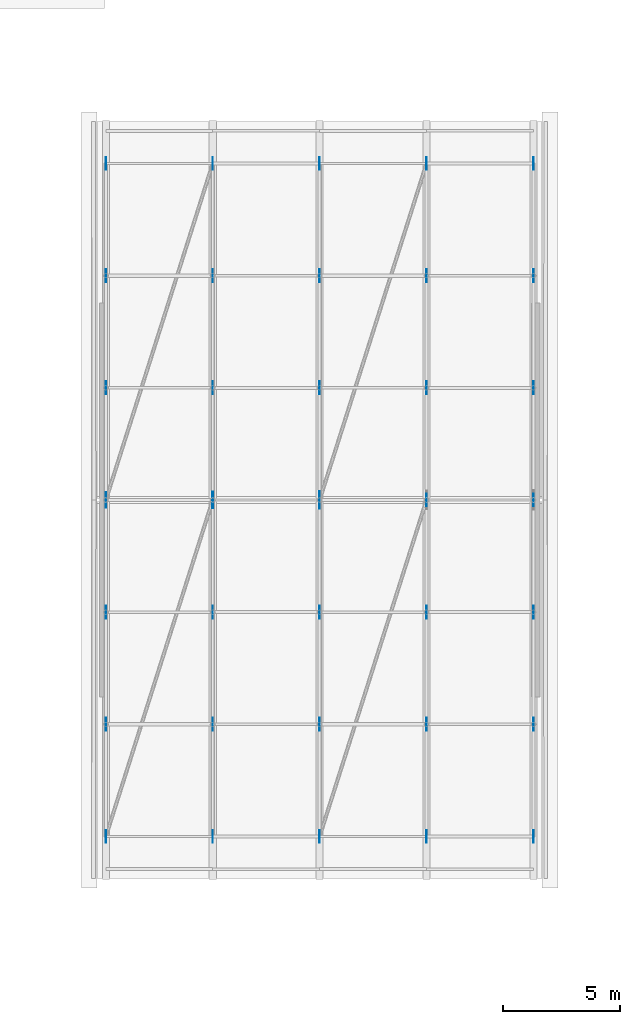
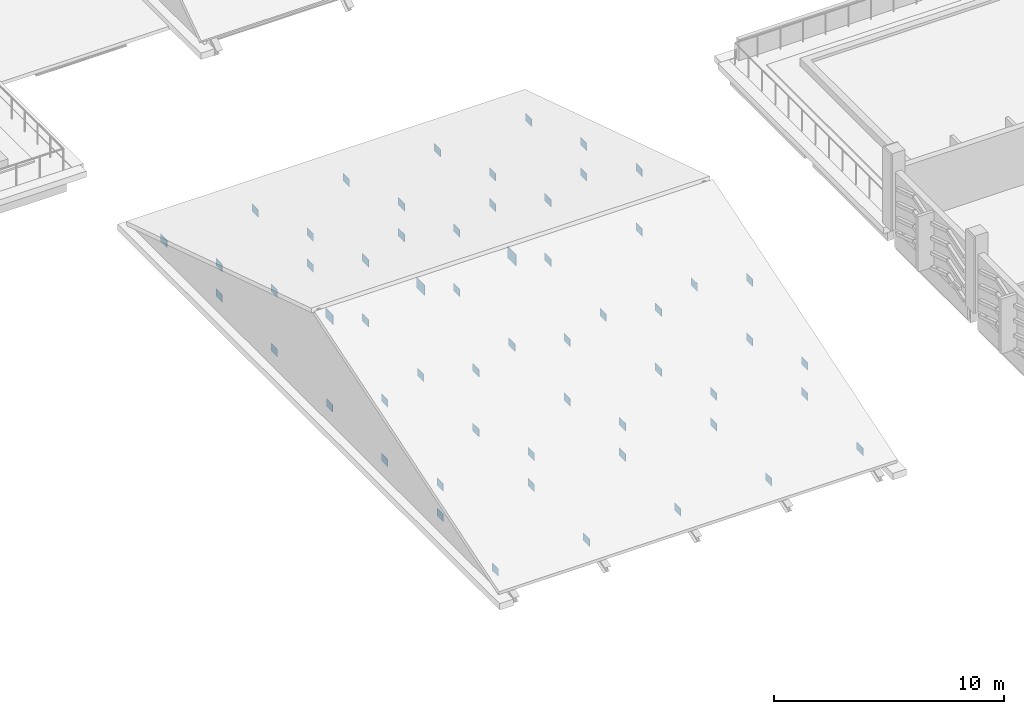
# One storey, part 107 of 134: 58 plates.
"""IFC4 building model written with IfcOpenShell, lengths in metres."""

from ifc_helpers import new_model, si_unit, direction, frame, origin, origin_2d, place, context, subcontext, project, spatial, rectangle, extrude, material, layer, layer_set, type_object, element, save


model = new_model("IFC4")

# Units and contexts
model_context = context("Model", 3, precision=1e-05, world=origin(), true_north=direction((0.0, 1.0)))
body_context = subcontext(model_context, "Body", "Model", "MODEL_VIEW")
ifc_project = project(units=[si_unit("LENGTHUNIT", "METRE"), si_unit("AREAUNIT", "SQUARE_METRE"), si_unit("VOLUMEUNIT", "CUBIC_METRE"), si_unit("PLANEANGLEUNIT", "RADIAN"), si_unit("MASSUNIT", "GRAM", prefix="KILO")], contexts=[model_context])

# Site, building, storey
site_placement = place(None, origin())
site = spatial("IfcSite", under=ifc_project, at=site_placement, CompositionType="ELEMENT")
building_placement = place(site_placement, origin())
building = spatial("IfcBuilding", under=site, at=building_placement, Name="Asteropetra Specialist Clinic", CompositionType="ELEMENT")
storey_placement = place(building_placement, frame((0.0, 0.0, 8.5)))
storey = spatial("IfcBuildingStorey", under=building, at=storey_placement, Name="L02", CompositionType="ELEMENT", Elevation=8.5)

# Plates
ifc_material_1 = material(Name="Steel S355", Category="steel")
ifc_layer_1 = layer(ifc_material_1, 0.02197265625)
ifc_layer_set_1 = layer_set([ifc_layer_1], Name="Steel S355")
plate_type_1 = type_object("IfcPlateType", Name="PLT-GUS-02", PredefinedType="SHEET", material=ifc_layer_set_1)
plate_1_placement = place(storey_placement, frame((77.25, 48.0, 4.81689453125), z_axis=(0.0, 0.0, 1.0), x_axis=(1.0, 0.0, 0.0)))
element("IfcPlate", 1, at=plate_1_placement, inside=storey, type_object=plate_type_1, Name="Truss Ridge Gusset GP-TRV3-01", PredefinedType="SHEET", context=body_context, shape_type="SweptSolid", body=[
    extrude(rectangle(XDim=0.02197265625, YDim=0.64990234375, at=origin_2d()), origin(), (0.0, 0.0, 1.0), 0.5),
])
ifc_material_2 = material(Name="Steel S355", Category="steel")
ifc_layer_2 = layer(ifc_material_2, 0.02392578125)
ifc_layer_set_2 = layer_set([ifc_layer_2], Name="Steel S355")
plate_type_2 = type_object("IfcPlateType", Name="PLT-GUS-03", PredefinedType="SHEET", material=ifc_layer_set_2)
plate_2_placement = place(storey_placement, frame((81.824951171875, 48.0, 4.7919921875), z_axis=(0.0, 0.0, 1.0), x_axis=(1.0, 0.0, 0.0)))
element("IfcPlate", 2, at=plate_2_placement, inside=storey, type_object=plate_type_2, Name="Truss Ridge Gusset GP-TRV3-02", PredefinedType="SHEET", context=body_context, shape_type="SweptSolid", body=[
    extrude(rectangle(XDim=0.02392578125, YDim=0.699951171875, at=origin_2d()), origin(), (0.0, 0.0, 1.0), 0.550048828125),
])
ifc_material_3 = material(Name="Steel S355", Category="steel")
ifc_layer_3 = layer(ifc_material_3, 0.02490234375)
ifc_layer_set_3 = layer_set([ifc_layer_3], Name="Steel S355")
plate_type_3 = type_object("IfcPlateType", Name="PLT-GUS-04", PredefinedType="SHEET", material=ifc_layer_set_3)
plate_3_placement = place(storey_placement, frame((86.39990234375, 48.0, 4.766845703125), z_axis=(0.0, 0.0, 1.0), x_axis=(1.0, 0.0, 0.0)))
element("IfcPlate", 3, at=plate_3_placement, inside=storey, type_object=plate_type_3, Name="Truss Ridge Gusset GP-TRV3-03", PredefinedType="SHEET", context=body_context, shape_type="SweptSolid", body=[
    extrude(rectangle(XDim=0.02490234375, YDim=0.75, at=origin_2d()), origin(), (0.0, 0.0, 1.0), 0.60009765625),
])
ifc_material_4 = material(Name="Steel S355", Category="steel")
ifc_layer_4 = layer(ifc_material_4, 0.01806640625)
ifc_layer_set_4 = layer_set([ifc_layer_4], Name="Steel S355")
plate_type_4 = type_object("IfcPlateType", Name="PLT-GUS-08", PredefinedType="SHEET", material=ifc_layer_set_4)
for number, where, z_axis, x_axis, name in (
    (4, (77.25, 33.60009765625, 0.1650390625), (0.0, 0.0, 1.0), (1.0, 0.0, 0.0), "Truss Bottom Chord Gusset GPB-V301-0"),
    (5, (77.25, 38.39990234375, 0.1650390625), (0.0, 0.0, 1.0), (1.0, 0.0, 0.0), "Truss Bottom Chord Gusset GPB-V301-1"),
    (6, (77.25, 38.39990234375, 1.785400390625), (0.0, 0.0, 1.0), (1.0, 0.0, 0.0), "Truss Top Chord Gusset GPT-V301-1"),
    (7, (77.25, 43.199951171875, 0.1650390625), (0.0, 0.0, 1.0), (1.0, 0.0, 0.0), "Truss Bottom Chord Gusset GPB-V301-2"),
    (8, (77.25, 43.199951171875, 3.326171875), (0.0, 0.0, 1.0), (1.0, 0.0, 0.0), "Truss Top Chord Gusset GPT-V301-2"),
    (9, (77.25, 48.0, 0.1650390625), (0.0, 0.0, 1.0), (1.0, 0.0, 0.0), "Truss Bottom Chord Gusset GPB-V301-3"),
    (10, (77.25, 52.800048828125, 0.1650390625), (0.0, 0.0, 1.0), (1.0, 0.0, 0.0), "Truss Bottom Chord Gusset GPB-V301-4"),
    (11, (77.25, 52.800048828125, 3.326171875), (0.0, 0.0, 1.0), (1.0, 0.0, 0.0), "Truss Top Chord Gusset GPT-V301-4"),
    (12, (77.25, 57.60009765625, 0.1650390625), (0.0, 0.0, 1.0), (1.0, 0.0, 0.0), "Truss Bottom Chord Gusset GPB-V301-5"),
    (13, (77.25, 57.60009765625, 1.785400390625), (0.0, 0.0, 1.0), (1.0, 0.0, 0.0), "Truss Top Chord Gusset GPT-V301-5"),
    (14, (77.25, 62.39990234375, 0.1650390625), (0.0, 0.0, 1.0), (1.0, 0.0, 0.0), "Truss Bottom Chord Gusset GPB-V301-6"),
    (15, (81.824951171875, 33.60009765625, 0.155029296875), (0.0, 0.0, 1.0), (1.0, 0.0, 0.0), "Truss Bottom Chord Gusset GPB-V302-0"),
    (16, (81.824951171875, 38.39990234375, 0.155029296875), (0.0, 0.0, 1.0), (1.0, 0.0, 0.0), "Truss Bottom Chord Gusset GPB-V302-1"),
    (17, (81.824951171875, 38.39990234375, 1.785400390625), (0.0, 0.0, 1.0), (1.0, 0.0, 0.0), "Truss Top Chord Gusset GPT-V302-1"),
    (18, (81.824951171875, 43.199951171875, 0.155029296875), (0.0, 0.0, 1.0), (1.0, 0.0, 0.0), "Truss Bottom Chord Gusset GPB-V302-2"),
    (19, (81.824951171875, 43.199951171875, 3.326171875), (0.0, 0.0, 1.0), (1.0, 0.0, 0.0), "Truss Top Chord Gusset GPT-V302-2"),
    (20, (81.824951171875, 48.0, 0.155029296875), (0.0, 0.0, 1.0), (1.0, 0.0, 0.0), "Truss Bottom Chord Gusset GPB-V302-3"),
    (21, (81.824951171875, 52.800048828125, 0.155029296875), (0.0, 0.0, 1.0), (1.0, 0.0, 0.0), "Truss Bottom Chord Gusset GPB-V302-4"),
    (22, (81.824951171875, 52.800048828125, 3.326171875), (0.0, 0.0, 1.0), (1.0, 0.0, 0.0), "Truss Top Chord Gusset GPT-V302-4"),
    (23, (81.824951171875, 57.60009765625, 0.155029296875), (0.0, 0.0, 1.0), (1.0, 0.0, 0.0), "Truss Bottom Chord Gusset GPB-V302-5"),
    (24, (81.824951171875, 57.60009765625, 1.785400390625), (0.0, 0.0, 1.0), (1.0, 0.0, 0.0), "Truss Top Chord Gusset GPT-V302-5"),
    (25, (81.824951171875, 62.39990234375, 0.155029296875), (0.0, 0.0, 1.0), (1.0, 0.0, 0.0), "Truss Bottom Chord Gusset GPB-V302-6"),
    (26, (86.39990234375, 33.60009765625, 0.1650390625), (0.0, 0.0, 1.0), (1.0, 0.0, 0.0), "Truss Bottom Chord Gusset GPB-V303-0"),
    (27, (86.39990234375, 38.39990234375, 0.1650390625), (0.0, 0.0, 1.0), (1.0, 0.0, 0.0), "Truss Bottom Chord Gusset GPB-V303-1"),
    (28, (86.39990234375, 38.39990234375, 1.785400390625), (0.0, 0.0, 1.0), (1.0, 0.0, 0.0), "Truss Top Chord Gusset GPT-V303-1"),
    (29, (86.39990234375, 43.199951171875, 0.1650390625), (0.0, 0.0, 1.0), (1.0, 0.0, 0.0), "Truss Bottom Chord Gusset GPB-V303-2"),
    (30, (86.39990234375, 43.199951171875, 3.326171875), (0.0, 0.0, 1.0), (1.0, 0.0, 0.0), "Truss Top Chord Gusset GPT-V303-2"),
    (31, (86.39990234375, 48.0, 0.1650390625), (0.0, 0.0, 1.0), (1.0, 0.0, 0.0), "Truss Bottom Chord Gusset GPB-V303-3"),
    (32, (86.39990234375, 52.800048828125, 0.1650390625), (0.0, 0.0, 1.0), (1.0, 0.0, 0.0), "Truss Bottom Chord Gusset GPB-V303-4"),
    (33, (86.39990234375, 52.800048828125, 3.326171875), (0.0, 0.0, 1.0), (1.0, 0.0, 0.0), "Truss Top Chord Gusset GPT-V303-4"),
    (34, (86.39990234375, 57.60009765625, 0.1650390625), (0.0, 0.0, 1.0), (1.0, 0.0, 0.0), "Truss Bottom Chord Gusset GPB-V303-5"),
    (35, (86.39990234375, 57.60009765625, 1.785400390625), (0.0, 0.0, 1.0), (1.0, 0.0, 0.0), "Truss Top Chord Gusset GPT-V303-5"),
    (36, (86.39990234375, 62.39990234375, 0.1650390625), (0.0, 0.0, 1.0), (1.0, 0.0, 0.0), "Truss Bottom Chord Gusset GPB-V303-6"),
    (37, (90.97509765625, 33.60009765625, 0.155029296875), (0.0, 0.0, 1.0), (1.0, 0.0, 0.0), "Truss Bottom Chord Gusset GPB-V304-0"),
    (38, (90.97509765625, 38.39990234375, 0.155029296875), (0.0, 0.0, 1.0), (1.0, 0.0, 0.0), "Truss Bottom Chord Gusset GPB-V304-1"),
    (39, (90.97509765625, 38.39990234375, 1.785400390625), (0.0, 0.0, 1.0), (1.0, 0.0, 0.0), "Truss Top Chord Gusset GPT-V304-1"),
    (40, (90.97509765625, 43.199951171875, 0.155029296875), (0.0, 0.0, 1.0), (1.0, 0.0, 0.0), "Truss Bottom Chord Gusset GPB-V304-2"),
    (41, (90.97509765625, 43.199951171875, 3.326171875), (0.0, 0.0, 1.0), (1.0, 0.0, 0.0), "Truss Top Chord Gusset GPT-V304-2"),
    (42, (90.97509765625, 48.0, 0.155029296875), (0.0, 0.0, 1.0), (1.0, 0.0, 0.0), "Truss Bottom Chord Gusset GPB-V304-3"),
    (43, (90.97509765625, 52.800048828125, 0.155029296875), (0.0, 0.0, 1.0), (1.0, 0.0, 0.0), "Truss Bottom Chord Gusset GPB-V304-4"),
    (44, (90.97509765625, 52.800048828125, 3.326171875), (0.0, 0.0, 1.0), (1.0, 0.0, 0.0), "Truss Top Chord Gusset GPT-V304-4"),
    (45, (90.97509765625, 57.60009765625, 0.155029296875), (0.0, 0.0, 1.0), (1.0, 0.0, 0.0), "Truss Bottom Chord Gusset GPB-V304-5"),
    (46, (90.97509765625, 57.60009765625, 1.785400390625), (0.0, 0.0, 1.0), (1.0, 0.0, 0.0), "Truss Top Chord Gusset GPT-V304-5"),
    (47, (90.97509765625, 62.39990234375, 0.155029296875), (0.0, 0.0, 1.0), (1.0, 0.0, 0.0), "Truss Bottom Chord Gusset GPB-V304-6"),
    (48, (95.550048828125, 33.60009765625, 0.1650390625), (0.0, 0.0, 1.0), (1.0, 0.0, 0.0), "Truss Bottom Chord Gusset GPB-V305-0"),
    (49, (95.550048828125, 38.39990234375, 0.1650390625), (0.0, 0.0, 1.0), (1.0, 0.0, 0.0), "Truss Bottom Chord Gusset GPB-V305-1"),
    (50, (95.550048828125, 38.39990234375, 1.785400390625), (0.0, 0.0, 1.0), (1.0, 0.0, 0.0), "Truss Top Chord Gusset GPT-V305-1"),
    (51, (95.550048828125, 43.199951171875, 0.1650390625), (0.0, 0.0, 1.0), (1.0, 0.0, 0.0), "Truss Bottom Chord Gusset GPB-V305-2"),
    (52, (95.550048828125, 43.199951171875, 3.326171875), (0.0, 0.0, 1.0), (1.0, 0.0, 0.0), "Truss Top Chord Gusset GPT-V305-2"),
    (53, (95.550048828125, 48.0, 0.1650390625), (0.0, 0.0, 1.0), (1.0, 0.0, 0.0), "Truss Bottom Chord Gusset GPB-V305-3"),
    (54, (95.550048828125, 52.800048828125, 0.1650390625), (0.0, 0.0, 1.0), (1.0, 0.0, 0.0), "Truss Bottom Chord Gusset GPB-V305-4"),
    (55, (95.550048828125, 52.800048828125, 3.326171875), (0.0, 0.0, 1.0), (1.0, 0.0, 0.0), "Truss Top Chord Gusset GPT-V305-4"),
    (56, (95.550048828125, 57.60009765625, 0.1650390625), (0.0, 0.0, 1.0), (1.0, 0.0, 0.0), "Truss Bottom Chord Gusset GPB-V305-5"),
    (57, (95.550048828125, 57.60009765625, 1.785400390625), (0.0, 0.0, 1.0), (1.0, 0.0, 0.0), "Truss Top Chord Gusset GPT-V305-5"),
    (58, (95.550048828125, 62.39990234375, 0.1650390625), (0.0, 0.0, 1.0), (1.0, 0.0, 0.0), "Truss Bottom Chord Gusset GPB-V305-6"),
):
    element("IfcPlate", number, at=place(storey_placement, frame(where, z_axis=z_axis, x_axis=x_axis)), inside=storey, type_object=plate_type_4, Name=name, PredefinedType="SHEET", context=body_context, shape_type="SweptSolid", body=[
        extrude(rectangle(XDim=0.01806640625, YDim=0.550048828125, at=origin_2d()), origin(), (0.0, 0.0, 1.0), 0.39990234375),
    ])

save(model, "model.ifc")
